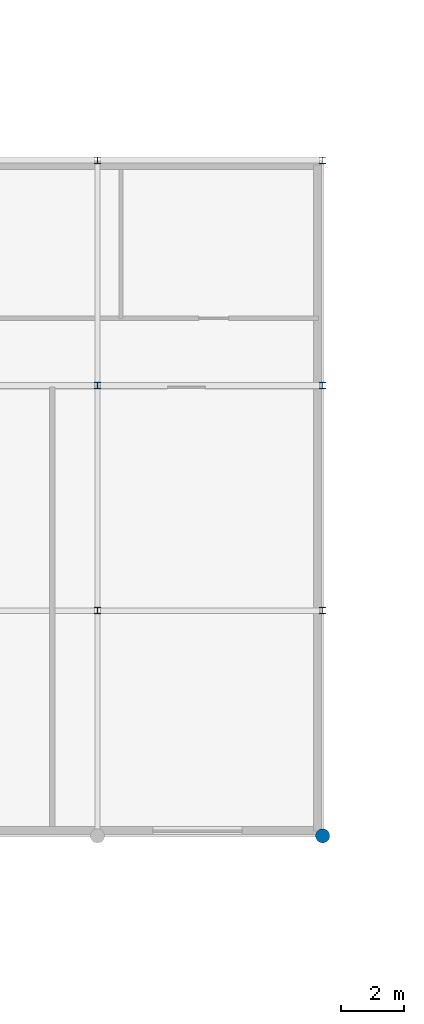
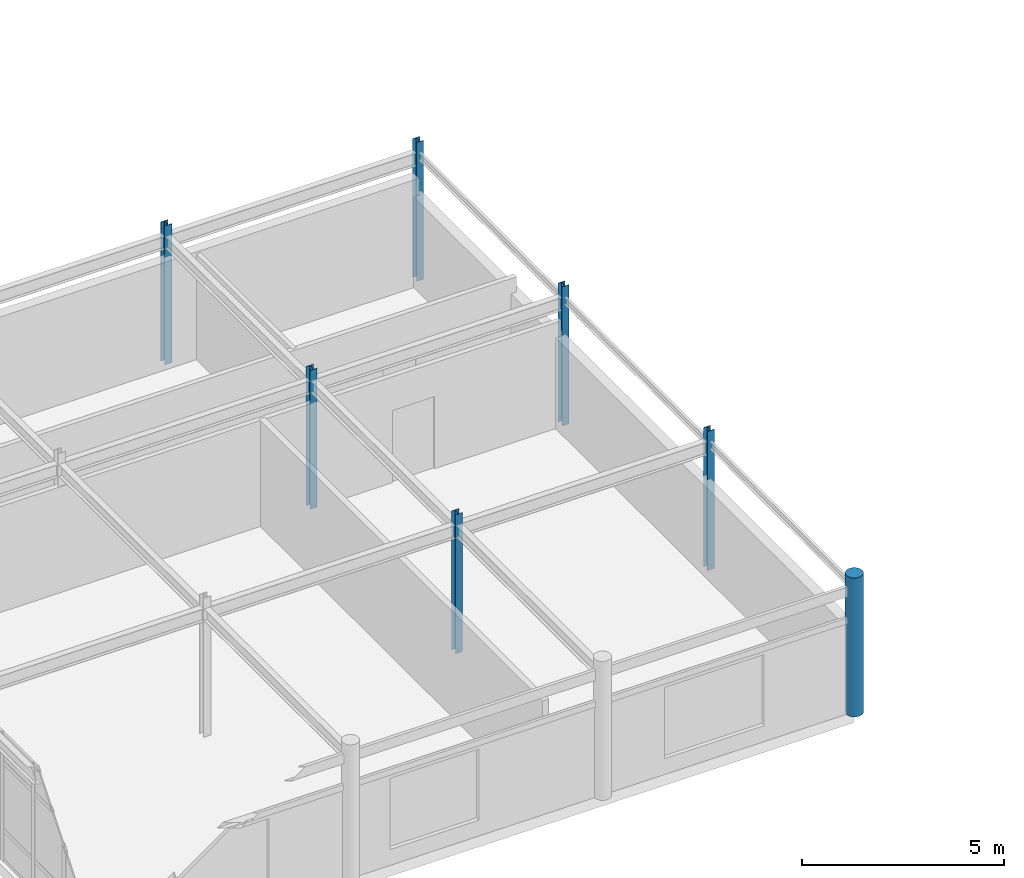
# One storey, part 9 of 85: 7 columns.
"""IFC4 building model written with IfcOpenShell, lengths in metres."""

import ifcopenshell
import ifcopenshell.guid

model = None  # the IFC model being written
_history = None  # IfcOwnerHistory: only IFC2X3 demands one
_inside = {}  # id of a spatial element -> (the spatial element, [elements in it])
_under = {}  # id of a project, library or spatial element -> (it, [spatial elements below it])
_declared = {}  # id of a project -> (the project, [libraries it declares])
_typed = {}  # id of a type object -> (the type object, [elements of that type])
_made_of = {}  # id of a material, layer set ... -> (it, [elements and type objects made of it])


def new_model(schema):
    """Start an empty IFC model of exactly this schema.

    Asked for "IFC4X3", IfcOpenShell would pick the latest addendum, in which some entities
    have other attributes; the version numbers below select the first issue.
    IFC2X3 requires an IfcOwnerHistory on every rooted entity: one is made here for all.
    """
    global model, _history
    if schema == "IFC4X3":
        model = ifcopenshell.file(schema_version=(4, 3, 0, 0))
    else:
        model = ifcopenshell.file(schema=schema)
    _inside.clear()
    _under.clear()
    _declared.clear()
    _typed.clear()
    _made_of.clear()
    _history = None
    if model.schema == "IFC2X3":
        org = make("IfcOrganization", Name="unknown")
        user = make(
            "IfcPersonAndOrganization",
            ThePerson=make("IfcPerson", FamilyName="unknown"),
            TheOrganization=org,
        )
        app = make(
            "IfcApplication",
            ApplicationDeveloper=org,
            Version="unknown",
            ApplicationFullName="unknown",
            ApplicationIdentifier="unknown",
        )
        _history = make(
            "IfcOwnerHistory",
            OwningUser=user,
            OwningApplication=app,
            ChangeAction="ADDED",
            CreationDate=0,
        )
    return model


def make(cls, **values):
    """One entity of the class cls with the attributes given. An attribute that is None is left unset."""
    return model.create_entity(
        cls, **{name: value for name, value in values.items() if value is not None}
    )


def rooted(cls, **values):
    """An entity with a GlobalId (a new one), such as an element, a storey or a relation."""
    return make(cls, GlobalId=ifcopenshell.guid.new(), OwnerHistory=_history, **values)


def si_unit(unit_type, name, prefix=None):
    """IfcSIUnit, for example si_unit("LENGTHUNIT", "METRE", prefix="MILLI")."""
    return make("IfcSIUnit", UnitType=unit_type, Prefix=prefix, Name=name)


def assignment(units):
    """IfcUnitAssignment: the units of a project."""
    return None if units is None else make("IfcUnitAssignment", Units=units)


def point(xyz):
    """IfcCartesianPoint."""
    return None if xyz is None else make("IfcCartesianPoint", Coordinates=xyz)


def direction(xyz):
    """IfcDirection."""
    return None if xyz is None else make("IfcDirection", DirectionRatios=xyz)


def frame(location, z_axis=None, x_axis=None):
    """IfcAxis2Placement3D, a coordinate frame: its origin and axes. An axis left out is left unset."""
    return make(
        "IfcAxis2Placement3D",
        Location=point(location),
        Axis=direction(z_axis),
        RefDirection=direction(x_axis),
    )


def frame_2d(location, x_axis=None):
    """IfcAxis2Placement2D, a coordinate frame in the plane: its origin and x axis."""
    return make(
        "IfcAxis2Placement2D", Location=point(location), RefDirection=direction(x_axis)
    )


def origin():
    """The frame at (0, 0, 0) with its axes left unset."""
    return frame((0.0, 0.0, 0.0))


def origin_2d():
    """The frame at (0, 0) in the plane with its x axis left unset."""
    return frame_2d((0.0, 0.0))


def place(relative_to, where):
    """IfcLocalPlacement: puts the frame where relative to a parent placement (None: the world)."""
    return make(
        "IfcLocalPlacement", PlacementRelTo=relative_to, RelativePlacement=where
    )


def context(
    kind, dimensions, precision=None, world=None, true_north=None, identifier=None
):
    """IfcGeometricRepresentationContext, for example the 3D "Model" context."""
    return make(
        "IfcGeometricRepresentationContext",
        ContextIdentifier=identifier,
        ContextType=kind,
        CoordinateSpaceDimension=dimensions,
        Precision=precision,
        WorldCoordinateSystem=world,
        TrueNorth=true_north,
    )


def subcontext(parent, identifier, kind, view, scale=None):
    """IfcGeometricRepresentationSubContext, for example "Body" below "Model"."""
    return make(
        "IfcGeometricRepresentationSubContext",
        ContextIdentifier=identifier,
        ContextType=kind,
        ParentContext=parent,
        TargetScale=scale,
        TargetView=view,
    )


def project(units=None, contexts=None):
    """IfcProject with its units and contexts."""
    return rooted(
        "IfcProject",
        Name="project",
        RepresentationContexts=contexts,
        UnitsInContext=assignment(units),
    )


def spatial(cls, under=None, at=None, **own):
    """A site, building, storey or space (cls), placed at a placement, below another one or the project."""
    s = rooted(cls, ObjectPlacement=at, **own)
    if under is not None:
        _under.setdefault(under.id(), (under, []))[1].append(s)
    return s


def profile(cls, at=None, kind="AREA", **sizes):
    """A parametric profile (cls). Its sizes go by their IFC names, for example OverallWidth=200.0."""
    return make(cls, ProfileType=kind, Position=at, **sizes)


def circle(**sizes):
    """IfcCircleProfileDef."""
    return profile("IfcCircleProfileDef", **sizes)


def i_section(**sizes):
    """IfcIShapeProfileDef."""
    return profile("IfcIShapeProfileDef", **sizes)


def extrude(swept, where, along, depth):
    """IfcExtrudedAreaSolid: the profile swept, set in the frame where, extruded along a direction by depth."""
    return make(
        "IfcExtrudedAreaSolid",
        SweptArea=swept,
        Position=where,
        ExtrudedDirection=direction(along),
        Depth=depth,
    )


def shape(context_of_items, identifier, shape_type, items):
    """IfcShapeRepresentation: the items that make up one representation, for example the "Body"."""
    return make(
        "IfcShapeRepresentation",
        ContextOfItems=context_of_items,
        RepresentationIdentifier=identifier,
        RepresentationType=shape_type,
        Items=items,
    )


def material(Name=None, Category=None):
    """IfcMaterial."""
    return make("IfcMaterial", Name=Name, Category=Category)


def material_profile(
    of_material, cross_section, Name=None, Category=None, Priority=None
):
    """IfcMaterialProfile: a cross section and its material."""
    return make(
        "IfcMaterialProfile",
        Name=Name,
        Material=of_material,
        Profile=cross_section,
        Priority=Priority,
        Category=Category,
    )


def profile_set(profiles, Name=None, composite=None):
    """IfcMaterialProfileSet."""
    return make(
        "IfcMaterialProfileSet",
        Name=Name,
        MaterialProfiles=profiles,
        CompositeProfile=composite,
    )


def made_of(thing, what):
    """Note that an element or type object is made of a material, layer set ...; save() writes the relation."""
    if what is not None:
        _made_of.setdefault(what.id(), (what, []))[1].append(thing)
    return thing


def type_object(cls, material=None, **own):
    """A type object (cls), such as IfcWallType, which elements share."""
    return made_of(rooted(cls, **own), material)


def element(
    cls,
    number,
    at=None,
    inside=None,
    cuts=None,
    type_object=None,
    material=None,
    context=None,
    identifier="Body",
    shape_type=None,
    held_by="IfcProductDefinitionShape",
    body=None,
    shapes=None,
    **own,
):
    """One element of the class cls, such as IfcWall. Its Tag is "e" and its number.

    at: its placement. inside: the storey or other place that contains it. cuts: it is an
    opening in that element (IfcRelVoidsElement). A single representation is given by context,
    identifier, shape_type and body (its items); several are given by shapes. held_by: the class
    of the entity that holds the representations. save() writes the other relations.
    """
    e = rooted(cls, Tag="e%d" % number, ObjectPlacement=at, **own)
    if body is not None:
        shapes = [shape(context, identifier, shape_type, body)]
    if shapes is not None:
        e.Representation = make(held_by, Representations=shapes)
    if inside is not None:
        _inside.setdefault(inside.id(), (inside, []))[1].append(e)
    if cuts is not None:
        rooted(
            "IfcRelVoidsElement", RelatingBuildingElement=cuts, RelatedOpeningElement=e
        )
    if type_object is not None:
        _typed.setdefault(type_object.id(), (type_object, []))[1].append(e)
    return made_of(e, material)


def aggregate(whole, parts):
    """IfcRelAggregates: a whole, such as a stair, and the parts it consists of."""
    return rooted("IfcRelAggregates", RelatingObject=whole, RelatedObjects=parts)


def save(model, path):
    """Write the relations noted so far, then the file.

    IfcRelAggregates (storeys below a building ...), IfcRelContainedInSpatialStructure (elements
    in a storey), IfcRelDefinesByType, IfcRelAssociatesMaterial and IfcRelDeclares: one each for
    every whole, place, type object, material and project.
    """
    for whole, parts in _under.values():
        aggregate(whole, parts)
    for where, things in _inside.values():
        rooted(
            "IfcRelContainedInSpatialStructure",
            RelatedElements=things,
            RelatingStructure=where,
        )
    for kind, things in _typed.values():
        rooted("IfcRelDefinesByType", RelatedObjects=things, RelatingType=kind)
    for what, things in _made_of.values():
        rooted("IfcRelAssociatesMaterial", RelatedObjects=things, RelatingMaterial=what)
    for by, libraries in _declared.values():
        rooted("IfcRelDeclares", RelatingContext=by, RelatedDefinitions=libraries)
    model.write(path)


model = new_model("IFC4")

# Units and contexts
model_context = context("Model", 3, precision=1e-05, world=origin(), true_north=direction((0.0, 1.0)))
body_context = subcontext(model_context, "Body", "Model", "MODEL_VIEW")
ifc_project = project(units=[si_unit("LENGTHUNIT", "METRE"), si_unit("AREAUNIT", "SQUARE_METRE"), si_unit("VOLUMEUNIT", "CUBIC_METRE"), si_unit("PLANEANGLEUNIT", "RADIAN"), si_unit("MASSUNIT", "GRAM", prefix="KILO")], contexts=[model_context])

# Site, building, storey
site_placement = place(None, origin())
site = spatial("IfcSite", under=ifc_project, at=site_placement, CompositionType="ELEMENT")
building_placement = place(site_placement, origin())
building = spatial("IfcBuilding", under=site, at=building_placement, Name="Ochrevale Crest", CompositionType="ELEMENT")
storey_placement = place(building_placement, frame((0.0, 0.0, 4.5)))
storey = spatial("IfcBuildingStorey", under=building, at=storey_placement, Name="L01", CompositionType="ELEMENT", Elevation=4.5)

# Columns
ifc_material_1 = material(Name="Precast concrete C40/50", Category="concrete")
ifc_material_profile_1 = material_profile(ifc_material_1, circle(Radius=0.22509765625, at=origin_2d()), Name="RC D450")
ifc_profile_set_1 = profile_set([ifc_material_profile_1], Name="Precast concrete C40/50")
column_type_1 = type_object("IfcColumnType", Name="COL-RCD450", PredefinedType="COLUMN", material=ifc_profile_set_1)
column_placement = place(storey_placement, frame((108.0, 7.199951171875, 0.0), z_axis=(0.0, 0.0, 1.0), x_axis=(1.0, 0.0, 0.0)))
element("IfcColumn", 1, at=column_placement, inside=storey, type_object=column_type_1, Name="Retail arcade L01 column (108.0,7.2)", PredefinedType="COLUMN", context=body_context, shape_type="SweptSolid", body=[
    extrude(circle(Radius=0.22509765625, at=origin_2d()), origin(), (0.0, 0.0, 1.0), 4.199951171875),
])
ifc_material_2 = material(Name="Steel S355", Category="steel")
ifc_material_profile_2 = material_profile(ifc_material_2, i_section(OverallWidth=0.203125, OverallDepth=0.203369140625, WebThickness=0.00732421875, FlangeThickness=0.010986328125, FilletRadius=0.01025390625, at=origin_2d()), Name="200UC46.2")
ifc_profile_set_2 = profile_set([ifc_material_profile_2], Name="Steel S355")
column_type_2 = type_object("IfcColumnType", Name="COL-UC200A", PredefinedType="COLUMN", material=ifc_profile_set_2)
for number, where, z_axis, x_axis, name in (
    (2, (100.800048828125, 14.39990234375, 0.0), (0.0, 0.0, 1.0), (1.0, 0.0, 0.0), "Retail arcade L01 column (100.8,14.4)"),
    (3, (100.800048828125, 21.60009765625, 0.0), (0.0, 0.0, 1.0), (1.0, 0.0, 0.0), "Retail arcade L01 column (100.8,21.6)"),
    (4, (100.800048828125, 28.800048828125, 0.0), (0.0, 0.0, 1.0), (1.0, 0.0, 0.0), "Retail arcade L01 column (100.8,28.8)"),
    (5, (108.0, 14.39990234375, 0.0), (0.0, 0.0, 1.0), (1.0, 0.0, 0.0), "Retail arcade L01 column (108.0,14.4)"),
    (6, (108.0, 21.60009765625, 0.0), (0.0, 0.0, 1.0), (1.0, 0.0, 0.0), "Retail arcade L01 column (108.0,21.6)"),
    (7, (108.0, 28.800048828125, 0.0), (0.0, 0.0, 1.0), (1.0, 0.0, 0.0), "Retail arcade L01 column (108.0,28.8)"),
):
    element("IfcColumn", number, at=place(storey_placement, frame(where, z_axis=z_axis, x_axis=x_axis)), inside=storey, type_object=column_type_2, Name=name, PredefinedType="COLUMN", context=body_context, shape_type="SweptSolid", body=[
        extrude(i_section(OverallWidth=0.203125, OverallDepth=0.203369140625, WebThickness=0.00732421875, FlangeThickness=0.010986328125, FilletRadius=0.01025390625, at=origin_2d()), origin(), (0.0, 0.0, 1.0), 4.199951171875),
    ])

save(model, "model.ifc")
